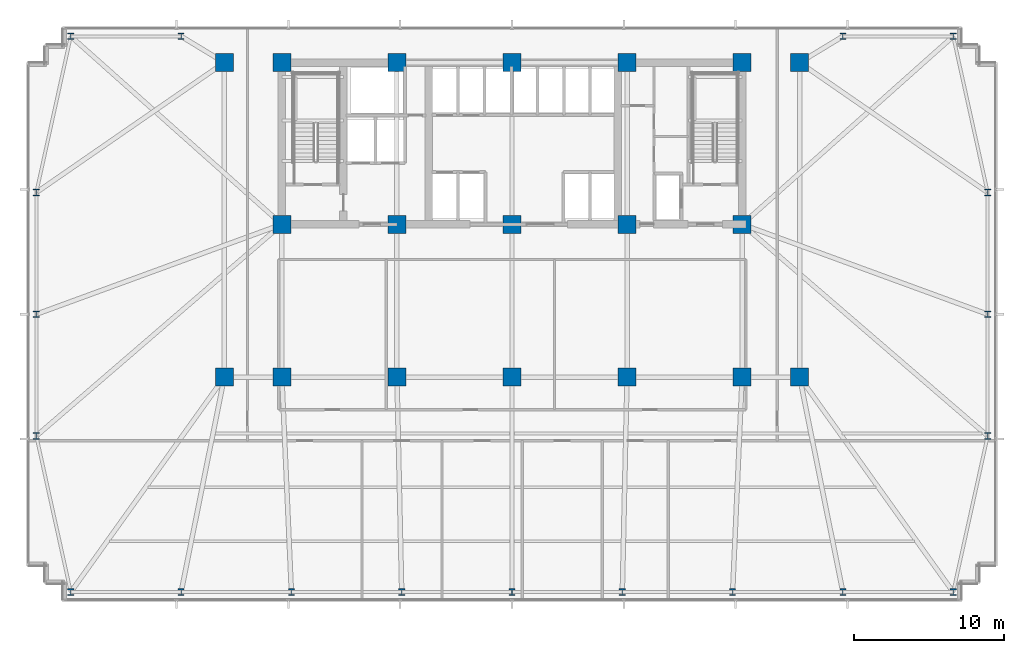
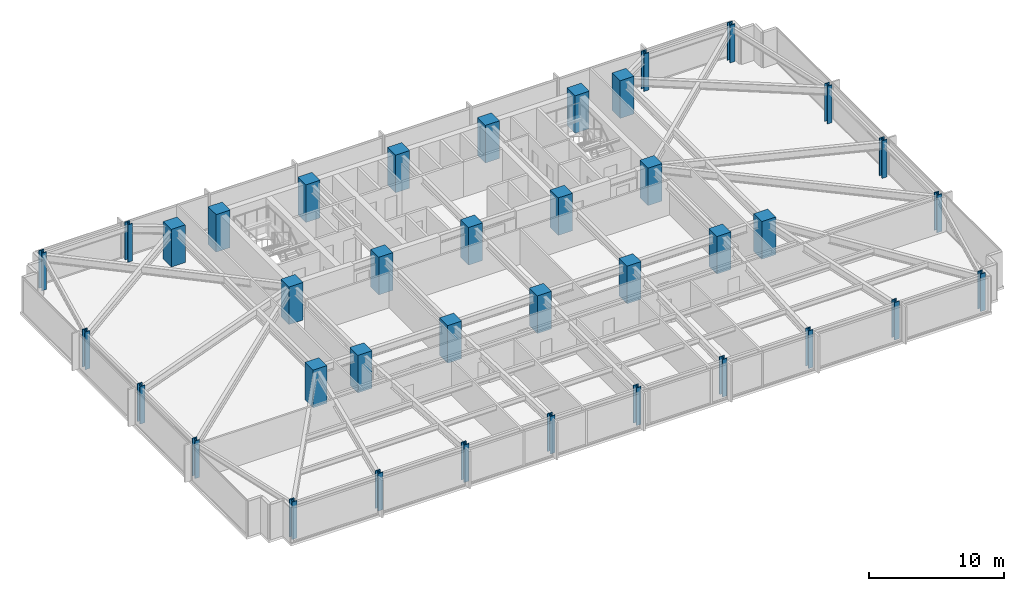
# One storey, part 1 of 32: 38 columns.
"""IFC4 building model written with IfcOpenShell, lengths in metres."""

from ifc_helpers import new_model, si_unit, direction, frame, origin, origin_2d, place, context, subcontext, project, spatial, rectangle, i_section, extrude, material, material_profile, profile_set, type_object, element, save


model = new_model("IFC4")

# Units and contexts
model_context = context("Model", 3, precision=1e-05, world=origin(), true_north=direction((0.0, 1.0)))
body_context = subcontext(model_context, "Body", "Model", "MODEL_VIEW")
ifc_project = project(units=[si_unit("LENGTHUNIT", "METRE"), si_unit("AREAUNIT", "SQUARE_METRE"), si_unit("VOLUMEUNIT", "CUBIC_METRE"), si_unit("PLANEANGLEUNIT", "RADIAN"), si_unit("MASSUNIT", "GRAM", prefix="KILO")], contexts=[model_context])

# Site, building, storey
site_placement = place(None, origin())
site = spatial("IfcSite", under=ifc_project, at=site_placement, CompositionType="ELEMENT")
building_placement = place(site_placement, origin())
building = spatial("IfcBuilding", under=site, at=building_placement, Name="Yelkora Congress Tower", CompositionType="ELEMENT")
storey_placement = place(building_placement, frame((0.0, 0.0, 40.60009765625)))
storey = spatial("IfcBuildingStorey", under=building, at=storey_placement, Name="L09", CompositionType="ELEMENT", Elevation=40.60009765625)

# Columns
ifc_material_1 = material(Name="Steel S460M", Category="steel")
ifc_material_profile_1 = material_profile(ifc_material_1, i_section(OverallWidth=0.41796875, OverallDepth=0.455078125, WebThickness=0.0419921875, FlangeThickness=0.068115234375, FilletRadius=0.014892578125, at=origin_2d()), Name="HD 400x551")
ifc_profile_set_1 = profile_set([ifc_material_profile_1], Name="Steel S460M")
column_type_1 = type_object("IfcColumnType", Name="COL-HD-551-EXT", PredefinedType="COLUMN", material=ifc_profile_set_1)
for number, where, z_axis, x_axis, name in (
    (1, (8.949951171875, 10.85009765625, 0.0), (0.0, 0.0, 1.0), (1.0, 0.0, 0.0), "L09 Perimeter Column S01"),
    (2, (16.3125, 10.85009765625, 0.0), (0.0, 0.0, 1.0), (1.0, 0.0, 0.0), "L09 Perimeter Column S02"),
    (3, (23.675048828125, 10.85009765625, 0.0), (0.0, 0.0, 1.0), (1.0, 0.0, 0.0), "L09 Perimeter Column S03"),
    (4, (31.03759765625, 10.85009765625, 0.0), (0.0, 0.0, 1.0), (1.0, 0.0, 0.0), "L09 Perimeter Column S04"),
    (5, (38.39990234375, 10.85009765625, 0.0), (0.0, 0.0, 1.0), (1.0, 0.0, 0.0), "L09 Perimeter Column S05"),
    (6, (45.762451171875, 10.85009765625, 0.0), (0.0, 0.0, 1.0), (1.0, 0.0, 0.0), "L09 Perimeter Column S06"),
    (7, (53.125, 10.85009765625, 0.0), (0.0, 0.0, 1.0), (1.0, 0.0, 0.0), "L09 Perimeter Column S07"),
    (8, (60.487548828125, 10.85009765625, 0.0), (0.0, 0.0, 1.0), (1.0, 0.0, 0.0), "L09 Perimeter Column S08"),
    (9, (67.85009765625, 10.85009765625, 0.0), (0.0, 0.0, 1.0), (1.0, 0.0, 0.0), "L09 Perimeter Column S09"),
    (10, (8.949951171875, 47.949951171875, 0.0), (0.0, 0.0, 1.0), (1.0, 0.0, 0.0), "L09 Perimeter Column N01"),
    (11, (16.3125, 47.949951171875, 0.0), (0.0, 0.0, 1.0), (1.0, 0.0, 0.0), "L09 Perimeter Column N02"),
    (12, (60.487548828125, 47.949951171875, 0.0), (0.0, 0.0, 1.0), (1.0, 0.0, 0.0), "L09 Perimeter Column N08"),
    (13, (67.85009765625, 47.949951171875, 0.0), (0.0, 0.0, 1.0), (1.0, 0.0, 0.0), "L09 Perimeter Column N09"),
    (14, (6.64990234375, 21.27490234375, 0.0), (0.0, 0.0, 1.0), (1.0, 0.0, 0.0), "L09 Perimeter Column W01"),
    (15, (70.14990234375, 21.27490234375, 0.0), (0.0, 0.0, 1.0), (1.0, 0.0, 0.0), "L09 Perimeter Column E01"),
    (16, (6.64990234375, 29.39990234375, 0.0), (0.0, 0.0, 1.0), (1.0, 0.0, 0.0), "L09 Perimeter Column W02"),
    (17, (70.14990234375, 29.39990234375, 0.0), (0.0, 0.0, 1.0), (1.0, 0.0, 0.0), "L09 Perimeter Column E02"),
    (18, (6.64990234375, 37.52490234375, 0.0), (0.0, 0.0, 1.0), (1.0, 0.0, 0.0), "L09 Perimeter Column W03"),
    (19, (70.14990234375, 37.52490234375, 0.0), (0.0, 0.0, 1.0), (1.0, 0.0, 0.0), "L09 Perimeter Column E03"),
):
    element("IfcColumn", number, at=place(storey_placement, frame(where, z_axis=z_axis, x_axis=x_axis)), inside=storey, type_object=column_type_1, Name=name, PredefinedType="COLUMN", context=body_context, shape_type="SweptSolid", body=[
        extrude(i_section(OverallWidth=0.41796875, OverallDepth=0.455078125, WebThickness=0.0419921875, FlangeThickness=0.068115234375, FilletRadius=0.014892578125, at=origin_2d()), origin(), (0.0, 0.0, 1.0), 3.39990234375),
    ])
ifc_material_2 = material(Name="Concrete C60/75", Category="concrete")
ifc_material_profile_2 = material_profile(ifc_material_2, rectangle(XDim=1.199951171875, YDim=1.199951171875, at=origin_2d()), Name="RC 1200x1200")
ifc_profile_set_2 = profile_set([ifc_material_profile_2], Name="Concrete C60/75")
column_type_2 = type_object("IfcColumnType", Name="COL-RC-1200", PredefinedType="COLUMN", material=ifc_profile_set_2)
for number, where, z_axis, x_axis, name in (
    (20, (23.0400390625, 35.39990234375, 0.0), (0.0, 0.0, 1.0), (1.0, 0.0, 0.0), "L09 Mega Column MC-S1"),
    (21, (23.0400390625, 46.199951171875, 0.0), (0.0, 0.0, 1.0), (1.0, 0.0, 0.0), "L09 Mega Column MC-N1"),
    (22, (23.0400390625, 25.199951171875, 0.0), (0.0, 0.0, 1.0), (1.0, 0.0, 0.0), "L09 Mega Column MC-D1"),
    (23, (30.719970703125, 35.39990234375, 0.0), (0.0, 0.0, 1.0), (1.0, 0.0, 0.0), "L09 Mega Column MC-S2"),
    (24, (30.719970703125, 46.199951171875, 0.0), (0.0, 0.0, 1.0), (1.0, 0.0, 0.0), "L09 Mega Column MC-N2"),
    (25, (30.719970703125, 25.199951171875, 0.0), (0.0, 0.0, 1.0), (1.0, 0.0, 0.0), "L09 Mega Column MC-D2"),
    (26, (38.39990234375, 35.39990234375, 0.0), (0.0, 0.0, 1.0), (1.0, 0.0, 0.0), "L09 Mega Column MC-S3"),
    (27, (38.39990234375, 46.199951171875, 0.0), (0.0, 0.0, 1.0), (1.0, 0.0, 0.0), "L09 Mega Column MC-N3"),
    (28, (38.39990234375, 25.199951171875, 0.0), (0.0, 0.0, 1.0), (1.0, 0.0, 0.0), "L09 Mega Column MC-D3"),
    (29, (46.080078125, 35.39990234375, 0.0), (0.0, 0.0, 1.0), (1.0, 0.0, 0.0), "L09 Mega Column MC-S4"),
    (30, (46.080078125, 46.199951171875, 0.0), (0.0, 0.0, 1.0), (1.0, 0.0, 0.0), "L09 Mega Column MC-N4"),
    (31, (46.080078125, 25.199951171875, 0.0), (0.0, 0.0, 1.0), (1.0, 0.0, 0.0), "L09 Mega Column MC-D4"),
    (32, (53.760009765625, 35.39990234375, 0.0), (0.0, 0.0, 1.0), (1.0, 0.0, 0.0), "L09 Mega Column MC-S5"),
    (33, (53.760009765625, 46.199951171875, 0.0), (0.0, 0.0, 1.0), (1.0, 0.0, 0.0), "L09 Mega Column MC-N5"),
    (34, (53.760009765625, 25.199951171875, 0.0), (0.0, 0.0, 1.0), (1.0, 0.0, 0.0), "L09 Mega Column MC-D5"),
    (35, (19.199951171875, 25.199951171875, 0.0), (0.0, 0.0, 1.0), (1.0, 0.0, 0.0), "L09 Mega Column MC-F1"),
    (36, (57.60009765625, 25.199951171875, 0.0), (0.0, 0.0, 1.0), (1.0, 0.0, 0.0), "L09 Mega Column MC-F2"),
    (37, (19.199951171875, 46.199951171875, 0.0), (0.0, 0.0, 1.0), (1.0, 0.0, 0.0), "L09 Mega Column MC-F3"),
    (38, (57.60009765625, 46.199951171875, 0.0), (0.0, 0.0, 1.0), (1.0, 0.0, 0.0), "L09 Mega Column MC-F4"),
):
    element("IfcColumn", number, at=place(storey_placement, frame(where, z_axis=z_axis, x_axis=x_axis)), inside=storey, type_object=column_type_2, Name=name, PredefinedType="COLUMN", context=body_context, shape_type="SweptSolid", body=[
        extrude(rectangle(XDim=1.199951171875, YDim=1.199951171875, at=origin_2d()), origin(), (0.0, 0.0, 1.0), 3.39990234375),
    ])

save(model, "model.ifc")
